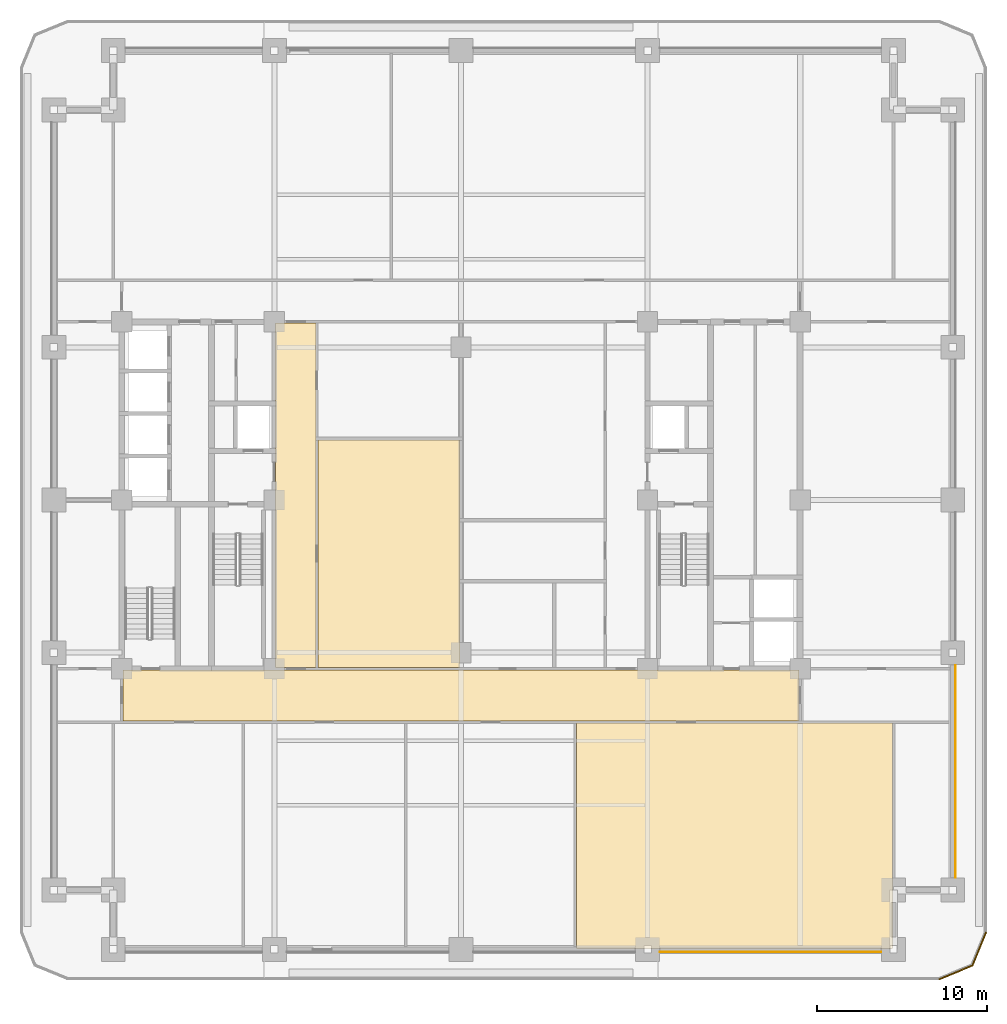
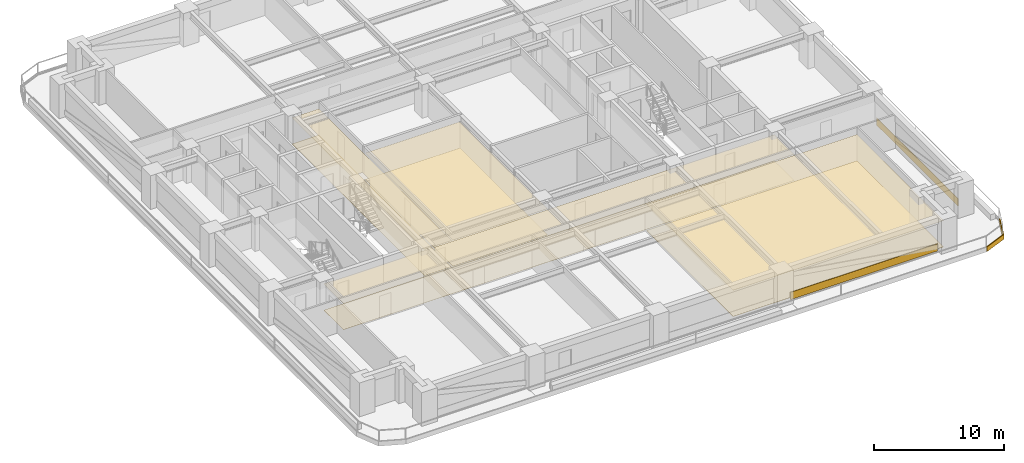
# One storey, part 10 of 12: 12 coverings.
"""IFC4 building model written with IfcOpenShell, lengths in metres."""

import ifcopenshell
import ifcopenshell.guid

model = None  # the IFC model being written
_history = None  # IfcOwnerHistory: only IFC2X3 demands one
_inside = {}  # id of a spatial element -> (the spatial element, [elements in it])
_under = {}  # id of a project, library or spatial element -> (it, [spatial elements below it])
_declared = {}  # id of a project -> (the project, [libraries it declares])
_typed = {}  # id of a type object -> (the type object, [elements of that type])
_made_of = {}  # id of a material, layer set ... -> (it, [elements and type objects made of it])


def new_model(schema):
    """Start an empty IFC model of exactly this schema.

    Asked for "IFC4X3", IfcOpenShell would pick the latest addendum, in which some entities
    have other attributes; the version numbers below select the first issue.
    IFC2X3 requires an IfcOwnerHistory on every rooted entity: one is made here for all.
    """
    global model, _history
    if schema == "IFC4X3":
        model = ifcopenshell.file(schema_version=(4, 3, 0, 0))
    else:
        model = ifcopenshell.file(schema=schema)
    _inside.clear()
    _under.clear()
    _declared.clear()
    _typed.clear()
    _made_of.clear()
    _history = None
    if model.schema == "IFC2X3":
        org = make("IfcOrganization", Name="unknown")
        user = make(
            "IfcPersonAndOrganization",
            ThePerson=make("IfcPerson", FamilyName="unknown"),
            TheOrganization=org,
        )
        app = make(
            "IfcApplication",
            ApplicationDeveloper=org,
            Version="unknown",
            ApplicationFullName="unknown",
            ApplicationIdentifier="unknown",
        )
        _history = make(
            "IfcOwnerHistory",
            OwningUser=user,
            OwningApplication=app,
            ChangeAction="ADDED",
            CreationDate=0,
        )
    return model


def make(cls, **values):
    """One entity of the class cls with the attributes given. An attribute that is None is left unset."""
    return model.create_entity(
        cls, **{name: value for name, value in values.items() if value is not None}
    )


def rooted(cls, **values):
    """An entity with a GlobalId (a new one), such as an element, a storey or a relation."""
    return make(cls, GlobalId=ifcopenshell.guid.new(), OwnerHistory=_history, **values)


def si_unit(unit_type, name, prefix=None):
    """IfcSIUnit, for example si_unit("LENGTHUNIT", "METRE", prefix="MILLI")."""
    return make("IfcSIUnit", UnitType=unit_type, Prefix=prefix, Name=name)


def assignment(units):
    """IfcUnitAssignment: the units of a project."""
    return None if units is None else make("IfcUnitAssignment", Units=units)


def point(xyz):
    """IfcCartesianPoint."""
    return None if xyz is None else make("IfcCartesianPoint", Coordinates=xyz)


def direction(xyz):
    """IfcDirection."""
    return None if xyz is None else make("IfcDirection", DirectionRatios=xyz)


def frame(location, z_axis=None, x_axis=None):
    """IfcAxis2Placement3D, a coordinate frame: its origin and axes. An axis left out is left unset."""
    return make(
        "IfcAxis2Placement3D",
        Location=point(location),
        Axis=direction(z_axis),
        RefDirection=direction(x_axis),
    )


def frame_2d(location, x_axis=None):
    """IfcAxis2Placement2D, a coordinate frame in the plane: its origin and x axis."""
    return make(
        "IfcAxis2Placement2D", Location=point(location), RefDirection=direction(x_axis)
    )


def origin():
    """The frame at (0, 0, 0) with its axes left unset."""
    return frame((0.0, 0.0, 0.0))


def place(relative_to, where):
    """IfcLocalPlacement: puts the frame where relative to a parent placement (None: the world)."""
    return make(
        "IfcLocalPlacement", PlacementRelTo=relative_to, RelativePlacement=where
    )


def context(
    kind, dimensions, precision=None, world=None, true_north=None, identifier=None
):
    """IfcGeometricRepresentationContext, for example the 3D "Model" context."""
    return make(
        "IfcGeometricRepresentationContext",
        ContextIdentifier=identifier,
        ContextType=kind,
        CoordinateSpaceDimension=dimensions,
        Precision=precision,
        WorldCoordinateSystem=world,
        TrueNorth=true_north,
    )


def subcontext(parent, identifier, kind, view, scale=None):
    """IfcGeometricRepresentationSubContext, for example "Body" below "Model"."""
    return make(
        "IfcGeometricRepresentationSubContext",
        ContextIdentifier=identifier,
        ContextType=kind,
        ParentContext=parent,
        TargetScale=scale,
        TargetView=view,
    )


def project(units=None, contexts=None):
    """IfcProject with its units and contexts."""
    return rooted(
        "IfcProject",
        Name="project",
        RepresentationContexts=contexts,
        UnitsInContext=assignment(units),
    )


def spatial(cls, under=None, at=None, **own):
    """A site, building, storey or space (cls), placed at a placement, below another one or the project."""
    s = rooted(cls, ObjectPlacement=at, **own)
    if under is not None:
        _under.setdefault(under.id(), (under, []))[1].append(s)
    return s


def polyline(points):
    """IfcPolyline through the points."""
    return make("IfcPolyline", Points=[point(p) for p in points])


def profile(cls, at=None, kind="AREA", **sizes):
    """A parametric profile (cls). Its sizes go by their IFC names, for example OverallWidth=200.0."""
    return make(cls, ProfileType=kind, Position=at, **sizes)


def rectangle(**sizes):
    """IfcRectangleProfileDef."""
    return profile("IfcRectangleProfileDef", **sizes)


def outline(outer, holes=None, kind="AREA"):
    """IfcArbitraryClosedProfileDef: a profile drawn as a closed curve; with holes, ...WithVoids."""
    if holes is None:
        return make("IfcArbitraryClosedProfileDef", ProfileType=kind, OuterCurve=outer)
    return make(
        "IfcArbitraryProfileDefWithVoids",
        ProfileType=kind,
        OuterCurve=outer,
        InnerCurves=holes,
    )


def extrude(swept, where, along, depth):
    """IfcExtrudedAreaSolid: the profile swept, set in the frame where, extruded along a direction by depth."""
    return make(
        "IfcExtrudedAreaSolid",
        SweptArea=swept,
        Position=where,
        ExtrudedDirection=direction(along),
        Depth=depth,
    )


def shape(context_of_items, identifier, shape_type, items):
    """IfcShapeRepresentation: the items that make up one representation, for example the "Body"."""
    return make(
        "IfcShapeRepresentation",
        ContextOfItems=context_of_items,
        RepresentationIdentifier=identifier,
        RepresentationType=shape_type,
        Items=items,
    )


def material(Name=None, Category=None):
    """IfcMaterial."""
    return make("IfcMaterial", Name=Name, Category=Category)


def layer(
    of_material, thickness, ventilated=None, Name=None, Category=None, Priority=None
):
    """IfcMaterialLayer: one layer of a wall or slab, of a material (None: an air gap)."""
    return make(
        "IfcMaterialLayer",
        Material=of_material,
        LayerThickness=thickness,
        IsVentilated=ventilated,
        Name=Name,
        Category=Category,
        Priority=Priority,
    )


def layer_set(layers, Name=None):
    """IfcMaterialLayerSet."""
    return make("IfcMaterialLayerSet", MaterialLayers=layers, LayerSetName=Name)


def made_of(thing, what):
    """Note that an element or type object is made of a material, layer set ...; save() writes the relation."""
    if what is not None:
        _made_of.setdefault(what.id(), (what, []))[1].append(thing)
    return thing


def type_object(cls, material=None, **own):
    """A type object (cls), such as IfcWallType, which elements share."""
    return made_of(rooted(cls, **own), material)


def element(
    cls,
    number,
    at=None,
    inside=None,
    cuts=None,
    type_object=None,
    material=None,
    context=None,
    identifier="Body",
    shape_type=None,
    held_by="IfcProductDefinitionShape",
    body=None,
    shapes=None,
    **own,
):
    """One element of the class cls, such as IfcWall. Its Tag is "e" and its number.

    at: its placement. inside: the storey or other place that contains it. cuts: it is an
    opening in that element (IfcRelVoidsElement). A single representation is given by context,
    identifier, shape_type and body (its items); several are given by shapes. held_by: the class
    of the entity that holds the representations. save() writes the other relations.
    """
    e = rooted(cls, Tag="e%d" % number, ObjectPlacement=at, **own)
    if body is not None:
        shapes = [shape(context, identifier, shape_type, body)]
    if shapes is not None:
        e.Representation = make(held_by, Representations=shapes)
    if inside is not None:
        _inside.setdefault(inside.id(), (inside, []))[1].append(e)
    if cuts is not None:
        rooted(
            "IfcRelVoidsElement", RelatingBuildingElement=cuts, RelatedOpeningElement=e
        )
    if type_object is not None:
        _typed.setdefault(type_object.id(), (type_object, []))[1].append(e)
    return made_of(e, material)


def aggregate(whole, parts):
    """IfcRelAggregates: a whole, such as a stair, and the parts it consists of."""
    return rooted("IfcRelAggregates", RelatingObject=whole, RelatedObjects=parts)


def save(model, path):
    """Write the relations noted so far, then the file.

    IfcRelAggregates (storeys below a building ...), IfcRelContainedInSpatialStructure (elements
    in a storey), IfcRelDefinesByType, IfcRelAssociatesMaterial and IfcRelDeclares: one each for
    every whole, place, type object, material and project.
    """
    for whole, parts in _under.values():
        aggregate(whole, parts)
    for where, things in _inside.values():
        rooted(
            "IfcRelContainedInSpatialStructure",
            RelatedElements=things,
            RelatingStructure=where,
        )
    for kind, things in _typed.values():
        rooted("IfcRelDefinesByType", RelatedObjects=things, RelatingType=kind)
    for what, things in _made_of.values():
        rooted("IfcRelAssociatesMaterial", RelatedObjects=things, RelatingMaterial=what)
    for by, libraries in _declared.values():
        rooted("IfcRelDeclares", RelatingContext=by, RelatedDefinitions=libraries)
    model.write(path)


model = new_model("IFC4")

# Units and contexts
model_context = context("Model", 3, precision=1e-05, world=origin(), true_north=direction((0.0, 1.0)))
body_context = subcontext(model_context, "Body", "Model", "MODEL_VIEW")
ifc_project = project(units=[si_unit("LENGTHUNIT", "METRE"), si_unit("AREAUNIT", "SQUARE_METRE"), si_unit("VOLUMEUNIT", "CUBIC_METRE"), si_unit("PLANEANGLEUNIT", "RADIAN"), si_unit("MASSUNIT", "GRAM", prefix="KILO")], contexts=[model_context])

# Site, building, storey
site_placement = place(None, origin())
site = spatial("IfcSite", under=ifc_project, at=site_placement, CompositionType="ELEMENT")
building_placement = place(site_placement, origin())
building = spatial("IfcBuilding", under=site, at=building_placement, Name="Zulmaris Gate Convention Tower", CompositionType="ELEMENT")
storey_placement = place(building_placement, frame((0.0, 0.0, 48.6201171875)))
storey = spatial("IfcBuildingStorey", under=building, at=storey_placement, Name="L11", CompositionType="ELEMENT", Elevation=48.6201171875)

# Coverings
ifc_material_1 = material(Name="Precast concrete C40/50", Category="concrete")
ifc_layer_1 = layer(ifc_material_1, 0.0400390625, Name="Precast concrete C40/50")
ifc_layer_set_1 = layer_set([ifc_layer_1], Name="Precast concrete C40/50")
covering_type_1 = type_object("IfcCoveringType", Name="CLAD-SPANDREL-PRECAST", PredefinedType="CLADDING", material=ifc_layer_set_1)
covering_1_placement = place(storey_placement, frame((11.72998046875, -26.64990234375, 0.0), z_axis=(0.0, 0.0, 1.0), x_axis=(1.0, 0.0, 0.0)))
element("IfcCovering", 1, at=covering_1_placement, inside=storey, type_object=covering_type_1, Name="CLD-L11-S-3_0", PredefinedType="CLADDING", context=body_context, shape_type="SweptSolid", body=[
    extrude(rectangle(XDim=13.0400390625, YDim=0.0400390625, at=frame_2d((6.52001953125, 0.0))), origin(), (0.0, 0.0, 1.0), 0.679931640625),
])
covering_2_placement = place(storey_placement, frame((29.14990234375, -22.27001953125, 0.0), z_axis=(0.0, 0.0, 1.0), x_axis=(0.0, 1.0, 0.0)))
element("IfcCovering", 2, at=covering_2_placement, inside=storey, type_object=covering_type_1, Name="CLD-L11-E-0_0", PredefinedType="CLADDING", context=body_context, shape_type="SweptSolid", body=[
    extrude(rectangle(XDim=12.5400390625, YDim=0.0400390625, at=frame_2d((6.27001953125, 0.0))), origin(), (0.0, 0.0, 1.0), 0.679931640625),
])
ifc_material_2 = material(Name="White Glazed Architectural Precast Concrete C40/50", Category="concrete")
ifc_layer_2 = layer(ifc_material_2, 0.080078125, Name="White Glazed Architectural Precast Concrete C40/50")
ifc_layer_set_2 = layer_set([ifc_layer_2], Name="White Glazed Architectural Precast Concrete C40/50")
covering_type_2 = type_object("IfcCoveringType", Name="CLAD-TRAY-FASCIA", PredefinedType="CLADDING", material=ifc_layer_set_2)
covering_3_placement = place(storey_placement, frame((28.184814453125, -28.262939453125, -0.2900390625), z_axis=(0.0, 0.0, 1.0), x_axis=(0.923873803533, 0.382697263049, 0.0)))
element("IfcCovering", 3, at=covering_3_placement, inside=storey, type_object=covering_type_2, Name="FSC-L11-TR-03", PredefinedType="CLADDING", context=body_context, shape_type="SweptSolid", body=[
    extrude(rectangle(XDim=2.142822265625, YDim=0.080078125, at=frame_2d((1.0712890625, 0.0))), origin(), (0.0, 0.0, 1.0), 0.43994140625),
])
covering_4_placement = place(storey_placement, frame((30.142822265625, -27.464599609375, -0.2900390625), z_axis=(0.0, 0.0, 1.0), x_axis=(0.382656984709, 0.923890487046, 0.0)))
element("IfcCovering", 4, at=covering_4_placement, inside=storey, type_object=covering_type_2, Name="FSC-L11-TR-04", PredefinedType="CLADDING", context=body_context, shape_type="SweptSolid", body=[
    extrude(rectangle(XDim=2.14306640625, YDim=0.080078125, at=frame_2d((1.071533203125, 0.0))), origin(), (0.0, 0.0, 1.0), 0.43994140625),
])
ifc_material_3 = material(Name="Mineral Fibre Acoustic Ceiling Tile")
ifc_layer_3 = layer(ifc_material_3, 0.02001953125, Name="Mineral Fibre Acoustic Ceiling Tile")
ifc_layer_set_3 = layer_set([ifc_layer_3], Name="Mineral Fibre Acoustic Ceiling Tile")
covering_type_3 = type_object("IfcCoveringType", Name="CLG-ACOUSTIC-600", PredefinedType="CEILING", material=ifc_layer_set_3)
covering_5_placement = place(storey_placement, frame((0.0, 0.0, 2.452880859375)))
element("IfcCovering", 5, at=covering_5_placement, inside=storey, type_object=covering_type_3, Name="CLG-L11-R30", PredefinedType="CEILING", context=body_context, shape_type="SweptSolid", body=[
    extrude(outline(polyline([(-19.93994140625, -13.0400390625), (19.93994140625, -13.0400390625), (19.93994140625, -10.010009765625), (-19.93994140625, -10.010009765625), (-19.93994140625, -13.0400390625)])), origin(), (0.0, 0.0, 1.0), 0.02001953125),
])
covering_6_placement = place(storey_placement, frame((0.0, 0.0, 2.452880859375)))
element("IfcCovering", 6, at=covering_6_placement, inside=storey, type_object=covering_type_3, Name="CLG-L11-R31", PredefinedType="CEILING", context=body_context, shape_type="SweptSolid", body=[
    extrude(outline(polyline([(-10.93994140625, -9.889892578125), (-8.56005859375, -9.889892578125), (-8.56005859375, 10.43994140625), (-10.93994140625, 10.43994140625), (-10.93994140625, -9.889892578125)])), origin(), (0.0, 0.0, 1.0), 0.02001953125),
])
covering_7_placement = place(storey_placement, frame((0.0, 0.0, 2.452880859375)))
element("IfcCovering", 7, at=covering_7_placement, inside=storey, type_object=covering_type_3, Name="CLG-L11-R38", PredefinedType="CEILING", context=body_context, shape_type="SweptSolid", body=[
    extrude(outline(polyline([(6.81005859375, -26.43994140625), (25.43994140625, -26.43994140625), (25.43994140625, -13.159912109375), (6.81005859375, -13.159912109375), (6.81005859375, -26.43994140625)])), origin(), (0.0, 0.0, 1.0), 0.02001953125),
])
covering_8_placement = place(storey_placement, frame((0.0, 0.0, 2.452880859375)))
element("IfcCovering", 8, at=covering_8_placement, inside=storey, type_object=covering_type_3, Name="CLG-L11-R40", PredefinedType="CEILING", context=body_context, shape_type="SweptSolid", body=[
    extrude(outline(polyline([(-8.43994140625, -9.889892578125), (-0.06005859375, -9.889892578125), (-0.06005859375, 3.5400390625), (-8.43994140625, 3.5400390625), (-8.43994140625, -9.889892578125)])), origin(), (0.0, 0.0, 1.0), 0.02001953125),
])
ifc_material_4 = material(Name="Woven Acoustic Wool Carpet Tile")
ifc_layer_4 = layer(ifc_material_4, 0.02001953125, Name="Woven Acoustic Wool Carpet Tile")
ifc_layer_set_4 = layer_set([ifc_layer_4], Name="Woven Acoustic Wool Carpet Tile")
covering_type_4 = type_object("IfcCoveringType", Name="FLR-CARPET-12", PredefinedType="FLOORING", material=ifc_layer_set_4)
covering_9_placement = place(storey_placement, origin())
element("IfcCovering", 9, at=covering_9_placement, inside=storey, type_object=covering_type_4, Name="FLR-L11-R30", PredefinedType="FLOORING", context=body_context, shape_type="SweptSolid", body=[
    extrude(outline(polyline([(-19.93994140625, -13.0400390625), (19.93994140625, -13.0400390625), (19.93994140625, -10.010009765625), (-19.93994140625, -10.010009765625), (-19.93994140625, -13.0400390625)])), origin(), (0.0, 0.0, 1.0), 0.02001953125),
])
covering_10_placement = place(storey_placement, origin())
element("IfcCovering", 10, at=covering_10_placement, inside=storey, type_object=covering_type_4, Name="FLR-L11-R31", PredefinedType="FLOORING", context=body_context, shape_type="SweptSolid", body=[
    extrude(outline(polyline([(-10.93994140625, -9.889892578125), (-8.56005859375, -9.889892578125), (-8.56005859375, 10.43994140625), (-10.93994140625, 10.43994140625), (-10.93994140625, -9.889892578125)])), origin(), (0.0, 0.0, 1.0), 0.02001953125),
])
covering_11_placement = place(storey_placement, origin())
element("IfcCovering", 11, at=covering_11_placement, inside=storey, type_object=covering_type_4, Name="FLR-L11-R38", PredefinedType="FLOORING", context=body_context, shape_type="SweptSolid", body=[
    extrude(outline(polyline([(6.81005859375, -26.43994140625), (25.43994140625, -26.43994140625), (25.43994140625, -13.159912109375), (6.81005859375, -13.159912109375), (6.81005859375, -26.43994140625)])), origin(), (0.0, 0.0, 1.0), 0.02001953125),
])
covering_12_placement = place(storey_placement, origin())
element("IfcCovering", 12, at=covering_12_placement, inside=storey, type_object=covering_type_4, Name="FLR-L11-R40", PredefinedType="FLOORING", context=body_context, shape_type="SweptSolid", body=[
    extrude(outline(polyline([(-8.43994140625, -9.889892578125), (-0.06005859375, -9.889892578125), (-0.06005859375, 3.5400390625), (-8.43994140625, 3.5400390625), (-8.43994140625, -9.889892578125)])), origin(), (0.0, 0.0, 1.0), 0.02001953125),
])

save(model, "model.ifc")
